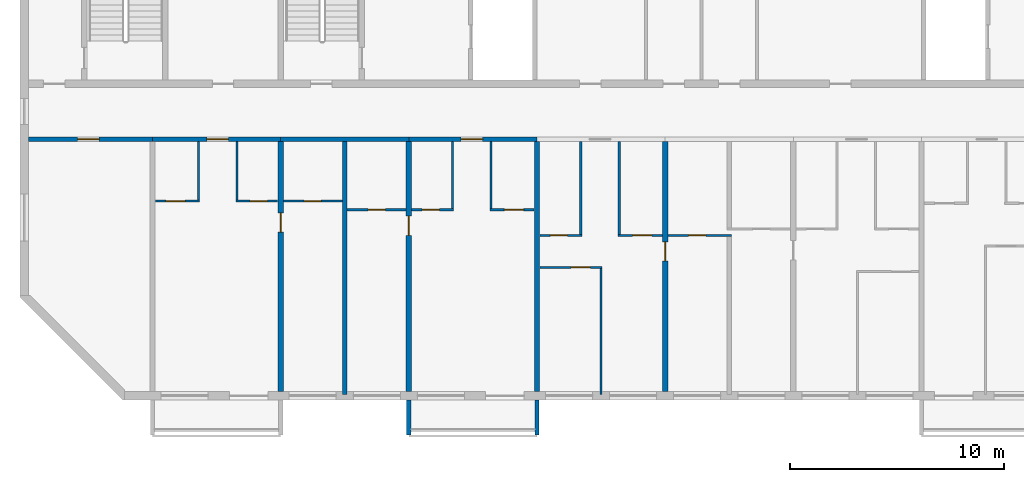
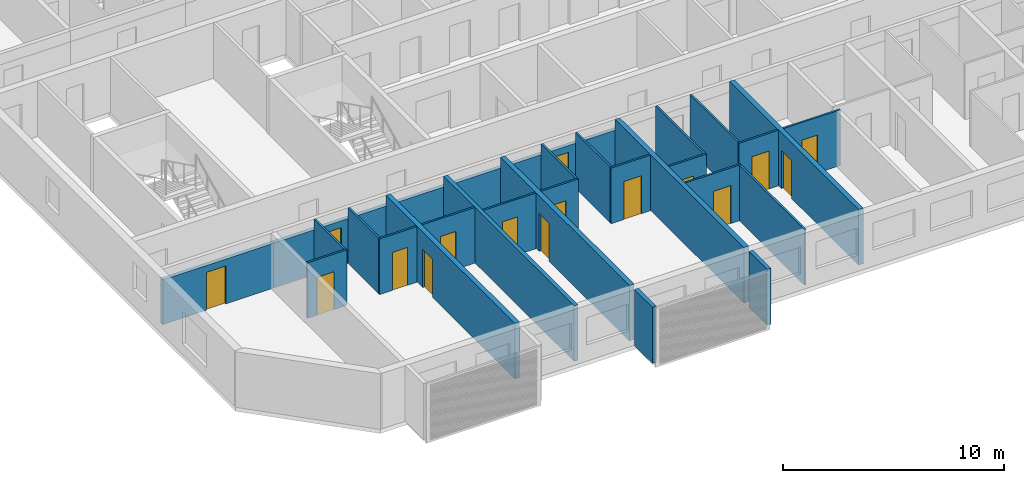
# One storey, part 2 of 26: 28 walls, 16 doors, 16 openings.
"""IFC4 building model written with IfcOpenShell, lengths in metres."""

from ifc_helpers import new_model, si_unit, direction, frame, frame_2d, origin, place, context, subcontext, project, spatial, polyline, rectangle, outline, extrude, source, transform, mapped, material, layer, layer_set, type_object, element, fill, save


model = new_model("IFC4")

# Units and contexts
model_context = context("Model", 3, precision=1e-05, world=origin(), true_north=direction((0.0, 1.0)))
body_context = subcontext(model_context, "Body", "Model", "MODEL_VIEW")
ifc_project = project(units=[si_unit("LENGTHUNIT", "METRE"), si_unit("AREAUNIT", "SQUARE_METRE"), si_unit("VOLUMEUNIT", "CUBIC_METRE"), si_unit("PLANEANGLEUNIT", "RADIAN"), si_unit("MASSUNIT", "GRAM", prefix="KILO")], contexts=[model_context])

# Site, building, storey
site_placement = place(None, origin())
site = spatial("IfcSite", under=ifc_project, at=site_placement, CompositionType="ELEMENT")
building_placement = place(site_placement, origin())
building = spatial("IfcBuilding", under=site, at=building_placement, Name="Poui Terraces", CompositionType="ELEMENT")
storey_placement = place(building_placement, frame((0.0, 0.0, 241.199951171875)))
storey = spatial("IfcBuildingStorey", under=building, at=storey_placement, Name="L67", CompositionType="ELEMENT", Elevation=241.199951171875)

# Wall, opening, door
ifc_material_1 = material(Name="Concrete 50 MPa", Category="concrete")
ifc_layer_1 = layer(ifc_material_1, 0.199951171875)
ifc_layer_set_1 = layer_set([ifc_layer_1], Name="Concrete 50 MPa")
wall_type_1 = type_object("IfcWallType", Name="CORRIDOR WALL 200 50MPa", PredefinedType="SHEAR", material=ifc_layer_set_1)
wall_1_placement = place(storey_placement, frame((18.199951171875, 12.0, 0.0), z_axis=(0.0, 0.0, 1.0), x_axis=(1.0, 0.0, 0.0)))
wall_1 = element("IfcWall", 1, at=wall_1_placement, inside=storey, type_object=wall_type_1, Name="CORRIDOR WALL LINE B BAY 1", PredefinedType="SHEAR", context=body_context, shape_type="SweptSolid", body=[
    extrude(rectangle(XDim=5.800048828125, YDim=0.199951171875, at=frame_2d((2.89990234375, 0.0))), origin(), (0.0, 0.0, 1.0), 2.47998046875),
])
opening_1_placement = place(wall_1_placement, frame((2.300048828125, 0.0, 0.0)))
opening_1 = element("IfcOpeningElement", 2, at=opening_1_placement, cuts=wall_1, Name="Opening D100", PredefinedType="OPENING", context=body_context, shape_type="SweptSolid", body=[
    extrude(rectangle(XDim=1.0, YDim=2.10009765625, at=frame_2d((0.5, 1.050048828125))), frame((0.0, 0.10986328125, 0.0), z_axis=(0.0, -1.0, 0.0), x_axis=(1.0, 0.0, 0.0)), (0.0, 0.0, 1.0), 0.219970703125),
])
ifc_material_2 = material(Name="Solid core timber door", Category="wood")
door_type_1 = type_object("IfcDoorType", Name="ACCESSIBLE INTERNAL DOOR 1000 X 2100", OperationType="NOTDEFINED", PredefinedType="DOOR", material=ifc_material_2)
door_1_placement = place(opening_1_placement, frame((1.0, 0.0, 0.0), z_axis=(0.0, 0.0, 1.0), x_axis=(-1.0, 0.0, 0.0)))
door_1 = element("IfcDoor", 3, at=door_1_placement, inside=storey, type_object=door_type_1, Name="ACCESSIBLE INTERNAL DOOR 061", OperationType="SINGLE_SWING_RIGHT", OverallHeight=2.10009765625, OverallWidth=1.0, PredefinedType="DOOR", context=body_context, shape_type="SweptSolid", body=[
    extrude(rectangle(XDim=1.0, YDim=2.10009765625, at=frame_2d((0.5, 1.050048828125))), frame((0.0, 0.02490234375, 0.0), z_axis=(0.0, -1.0, 0.0), x_axis=(1.0, 0.0, 0.0)), (0.0, 0.0, 1.0), 0.050048828125),
])
fill(opening_1, door_1)

wall_2_placement = place(storey_placement, frame((24.0, 12.0, 0.0), z_axis=(0.0, 0.0, 1.0), x_axis=(1.0, 0.0, 0.0)))
wall_2 = element("IfcWall", 4, at=wall_2_placement, inside=storey, type_object=wall_type_1, Name="CORRIDOR WALL LINE B BAY 2", PredefinedType="SHEAR", context=body_context, shape_type="SweptSolid", body=[
    extrude(rectangle(XDim=6.0, YDim=0.199951171875, at=frame_2d((3.0, 0.0))), origin(), (0.0, 0.0, 1.0), 2.47998046875),
])
opening_2_placement = place(wall_2_placement, frame((2.550048828125, 0.0, 0.0)))
opening_2 = element("IfcOpeningElement", 5, at=opening_2_placement, cuts=wall_2, Name="Opening FD30S", PredefinedType="OPENING", context=body_context, shape_type="SweptSolid", body=[
    extrude(rectangle(XDim=1.0, YDim=2.10009765625, at=frame_2d((0.5, 1.050048828125))), frame((0.0, 0.10986328125, 0.0), z_axis=(0.0, -1.0, 0.0), x_axis=(1.0, 0.0, 0.0)), (0.0, 0.0, 1.0), 0.219970703125),
])
ifc_material_3 = material(Name="Steel fire door", Category="steel")
door_type_2 = type_object("IfcDoorType", Name="FLAT ENTRANCE DOOR 1000 X 2100", OperationType="NOTDEFINED", PredefinedType="DOOR", material=ifc_material_3)
door_2_placement = place(opening_2_placement, frame((1.0, 0.0, 0.0), z_axis=(0.0, 0.0, 1.0), x_axis=(-1.0, 0.0, 0.0)))
door_2 = element("IfcDoor", 6, at=door_2_placement, inside=storey, type_object=door_type_2, Name="FLAT ENTRANCE DOOR 064", OperationType="SINGLE_SWING_LEFT", OverallHeight=2.10009765625, OverallWidth=1.0, PredefinedType="DOOR", context=body_context, shape_type="SweptSolid", body=[
    extrude(rectangle(XDim=1.0, YDim=2.10009765625, at=frame_2d((0.5, 1.050048828125))), frame((0.0, 0.02490234375, 0.0), z_axis=(0.0, -1.0, 0.0), x_axis=(1.0, 0.0, 0.0)), (0.0, 0.0, 1.0), 0.050048828125),
])
fill(opening_2, door_2)

# Wall
wall_3_placement = place(storey_placement, frame((30.0, 12.0, 0.0), z_axis=(0.0, 0.0, 1.0), x_axis=(1.0, 0.0, 0.0)))
element("IfcWall", 7, at=wall_3_placement, inside=storey, type_object=wall_type_1, Name="CORRIDOR WALL LINE B BAY 3", PredefinedType="SHEAR", context=body_context, shape_type="SweptSolid", body=[
    extrude(rectangle(XDim=6.0, YDim=0.199951171875, at=frame_2d((3.0, 0.0))), origin(), (0.0, 0.0, 1.0), 2.47998046875),
])

# Wall, opening, door
wall_4_placement = place(storey_placement, frame((36.0, 12.0, 0.0), z_axis=(0.0, 0.0, 1.0), x_axis=(1.0, 0.0, 0.0)))
wall_4 = element("IfcWall", 8, at=wall_4_placement, inside=storey, type_object=wall_type_1, Name="CORRIDOR WALL LINE B BAY 4", PredefinedType="SHEAR", context=body_context, shape_type="SweptSolid", body=[
    extrude(rectangle(XDim=6.0, YDim=0.199951171875, at=frame_2d((3.0, 0.0))), origin(), (0.0, 0.0, 1.0), 2.47998046875),
])
opening_3_placement = place(wall_4_placement, frame((2.449951171875, 0.0, 0.0)))
opening_3 = element("IfcOpeningElement", 9, at=opening_3_placement, cuts=wall_4, Name="Opening FD30S", PredefinedType="OPENING", context=body_context, shape_type="SweptSolid", body=[
    extrude(rectangle(XDim=1.0, YDim=2.10009765625, at=frame_2d((0.5, 1.050048828125))), frame((0.0, 0.10986328125, 0.0), z_axis=(0.0, -1.0, 0.0), x_axis=(1.0, 0.0, 0.0)), (0.0, 0.0, 1.0), 0.219970703125),
])
door_3_placement = place(opening_3_placement, frame((1.0, 0.0, 0.0), z_axis=(0.0, 0.0, 1.0), x_axis=(-1.0, 0.0, 0.0)))
door_3 = element("IfcDoor", 10, at=door_3_placement, inside=storey, type_object=door_type_2, Name="FLAT ENTRANCE DOOR 070", OperationType="SINGLE_SWING_RIGHT", OverallHeight=2.10009765625, OverallWidth=1.0, PredefinedType="DOOR", context=body_context, shape_type="SweptSolid", body=[
    extrude(rectangle(XDim=1.0, YDim=2.10009765625, at=frame_2d((0.5, 1.050048828125))), frame((0.0, 0.02490234375, 0.0), z_axis=(0.0, -1.0, 0.0), x_axis=(1.0, 0.0, 0.0)), (0.0, 0.0, 1.0), 0.050048828125),
])
fill(opening_3, door_3)

ifc_layer_2 = layer(ifc_material_1, 0.25)
ifc_layer_set_2 = layer_set([ifc_layer_2], Name="Concrete 50 MPa")
wall_type_2 = type_object("IfcWallType", Name="CROSS WALL 250 50MPa", PredefinedType="SHEAR", material=ifc_layer_set_2)
wall_5_placement = place(storey_placement, frame((30.0, 0.199951171875, 0.0), z_axis=(0.0, 0.0, 1.0), x_axis=(0.0, 1.0, 0.0)))
wall_5 = element("IfcWall", 11, at=wall_5_placement, inside=storey, type_object=wall_type_2, Name="CROSS WALL LINE 6 SOUTH", PredefinedType="SHEAR", context=body_context, shape_type="SweptSolid", body=[
    extrude(rectangle(XDim=11.699951171875, YDim=0.25, at=frame_2d((5.85009765625, 0.0))), origin(), (0.0, 0.0, 1.0), 3.080078125),
])
opening_4_placement = place(wall_5_placement, frame((7.449951171875, 0.0, 0.0)))
opening_4 = element("IfcOpeningElement", 12, at=opening_4_placement, cuts=wall_5, Name="Opening D90", PredefinedType="OPENING", context=body_context, shape_type="SweptSolid", body=[
    extrude(rectangle(XDim=0.89990234375, YDim=2.10009765625, at=frame_2d((0.449951171875, 1.050048828125))), frame((0.0, 0.135009765625, 0.0), z_axis=(0.0, -1.0, 0.0), x_axis=(1.0, 0.0, 0.0)), (0.0, 0.0, 1.0), 0.27001953125),
])
door_type_3 = type_object("IfcDoorType", Name="INTERNAL DOOR 900 X 2100", OperationType="NOTDEFINED", PredefinedType="DOOR", material=ifc_material_2)
door_4_placement = place(opening_4_placement, frame((0.89990234375, 0.0, 0.0), z_axis=(0.0, 0.0, 1.0), x_axis=(-1.0, 0.0, 0.0)))
door_4 = element("IfcDoor", 13, at=door_4_placement, inside=storey, type_object=door_type_3, Name="INTERNAL DOOR 066", OperationType="SINGLE_SWING_LEFT", OverallHeight=2.10009765625, OverallWidth=0.89990234375, PredefinedType="DOOR", context=body_context, shape_type="SweptSolid", body=[
    extrude(rectangle(XDim=0.89990234375, YDim=2.10009765625, at=frame_2d((0.449951171875, 1.050048828125))), frame((0.0, 0.02490234375, 0.0), z_axis=(0.0, -1.0, 0.0), x_axis=(1.0, 0.0, 0.0)), (0.0, 0.0, 1.0), 0.050048828125),
])
fill(opening_4, door_4)

wall_6_placement = place(storey_placement, frame((36.0, 0.199951171875, 0.0), z_axis=(0.0, 0.0, 1.0), x_axis=(0.0, 1.0, 0.0)))
wall_6 = element("IfcWall", 14, at=wall_6_placement, inside=storey, type_object=wall_type_2, Name="CROSS WALL LINE 7 SOUTH", PredefinedType="SHEAR", context=body_context, shape_type="SweptSolid", body=[
    extrude(rectangle(XDim=11.699951171875, YDim=0.25, at=frame_2d((5.85009765625, 0.0))), origin(), (0.0, 0.0, 1.0), 3.080078125),
])
opening_5_placement = place(wall_6_placement, frame((7.300048828125, 0.0, 0.0)))
opening_5 = element("IfcOpeningElement", 15, at=opening_5_placement, cuts=wall_6, Name="Opening D90", PredefinedType="OPENING", context=body_context, shape_type="SweptSolid", body=[
    extrude(rectangle(XDim=0.89990234375, YDim=2.10009765625, at=frame_2d((0.449951171875, 1.050048828125))), frame((0.0, 0.135009765625, 0.0), z_axis=(0.0, -1.0, 0.0), x_axis=(1.0, 0.0, 0.0)), (0.0, 0.0, 1.0), 0.27001953125),
])
door_5_placement = place(opening_5_placement, origin())
door_5 = element("IfcDoor", 16, at=door_5_placement, inside=storey, type_object=door_type_3, Name="INTERNAL DOOR 068", OperationType="SINGLE_SWING_RIGHT", OverallHeight=2.10009765625, OverallWidth=0.89990234375, PredefinedType="DOOR", context=body_context, shape_type="SweptSolid", body=[
    extrude(rectangle(XDim=0.89990234375, YDim=2.10009765625, at=frame_2d((0.449951171875, 1.050048828125))), frame((0.0, 0.02490234375, 0.0), z_axis=(0.0, -1.0, 0.0), x_axis=(1.0, 0.0, 0.0)), (0.0, 0.0, 1.0), 0.050048828125),
])
fill(opening_5, door_5)

# Wall
wall_7_placement = place(storey_placement, frame((42.0, 0.199951171875, 0.0), z_axis=(0.0, 0.0, 1.0), x_axis=(0.0, 1.0, 0.0)))
element("IfcWall", 17, at=wall_7_placement, inside=storey, type_object=wall_type_2, Name="CROSS WALL LINE 8 SOUTH", PredefinedType="SHEAR", context=body_context, shape_type="SweptSolid", body=[
    extrude(rectangle(XDim=11.699951171875, YDim=0.25, at=frame_2d((5.85009765625, 0.0))), origin(), (0.0, 0.0, 1.0), 3.080078125),
])

# Wall, opening, door
wall_8_placement = place(storey_placement, frame((48.0, 0.199951171875, 0.0), z_axis=(0.0, 0.0, 1.0), x_axis=(0.0, 1.0, 0.0)))
wall_8 = element("IfcWall", 18, at=wall_8_placement, inside=storey, type_object=wall_type_2, Name="CROSS WALL LINE 9 SOUTH", PredefinedType="SHEAR", context=body_context, shape_type="SweptSolid", body=[
    extrude(rectangle(XDim=11.699951171875, YDim=0.25, at=frame_2d((5.85009765625, 0.0))), origin(), (0.0, 0.0, 1.0), 3.080078125),
])
opening_6_placement = place(wall_8_placement, frame((6.10009765625, 0.0, 0.0)))
opening_6 = element("IfcOpeningElement", 19, at=opening_6_placement, cuts=wall_8, Name="Opening D90", PredefinedType="OPENING", context=body_context, shape_type="SweptSolid", body=[
    extrude(rectangle(XDim=0.89990234375, YDim=2.10009765625, at=frame_2d((0.449951171875, 1.050048828125))), frame((0.0, 0.135009765625, 0.0), z_axis=(0.0, -1.0, 0.0), x_axis=(1.0, 0.0, 0.0)), (0.0, 0.0, 1.0), 0.27001953125),
])
door_6_placement = place(opening_6_placement, frame((0.89990234375, 0.0, 0.0), z_axis=(0.0, 0.0, 1.0), x_axis=(-1.0, 0.0, 0.0)))
door_6 = element("IfcDoor", 20, at=door_6_placement, inside=storey, type_object=door_type_3, Name="INTERNAL DOOR 077", OperationType="SINGLE_SWING_LEFT", OverallHeight=2.10009765625, OverallWidth=0.89990234375, PredefinedType="DOOR", context=body_context, shape_type="SweptSolid", body=[
    extrude(rectangle(XDim=0.89990234375, YDim=2.10009765625, at=frame_2d((0.449951171875, 1.050048828125))), frame((0.0, 0.02490234375, 0.0), z_axis=(0.0, -1.0, 0.0), x_axis=(1.0, 0.0, 0.0)), (0.0, 0.0, 1.0), 0.050048828125),
])
fill(opening_6, door_6)

ifc_material_4 = material(Name="Plasterboard partition")
ifc_layer_3 = layer(ifc_material_4, 0.10009765625)
ifc_layer_set_3 = layer_set([ifc_layer_3], Name="Plasterboard partition")
wall_type_3 = type_object("IfcWallType", Name="FLAT PARTITION 100", PredefinedType="PARTITIONING", material=ifc_layer_set_3)
wall_9_placement = place(storey_placement, frame((42.135009765625, 6.0, 0.0), z_axis=(0.0, 0.0, 1.0), x_axis=(1.0, 0.0, 0.0)))
wall_9 = element("IfcWall", 21, at=wall_9_placement, inside=storey, type_object=wall_type_3, Name="FLAT PARTITION 100", PredefinedType="PARTITIONING", context=body_context, shape_type="SweptSolid", body=[
    extrude(rectangle(XDim=2.9150390625, YDim=0.10009765625, at=frame_2d((1.45751953125, 0.0))), origin(), (0.0, 0.0, 1.0), 3.080078125),
])
opening_7_placement = place(wall_9_placement, frame((1.465087890625, 0.0, 0.0)))
opening_7 = element("IfcOpeningElement", 22, at=opening_7_placement, cuts=wall_9, Name="Opening D90", PredefinedType="OPENING", context=body_context, shape_type="SweptSolid", body=[
    extrude(rectangle(XDim=0.89990234375, YDim=2.10009765625, at=frame_2d((0.449951171875, 1.050048828125))), frame((0.0, 0.06005859375, 0.0), z_axis=(0.0, -1.0, 0.0), x_axis=(1.0, 0.0, 0.0)), (0.0, 0.0, 1.0), 0.1201171875),
])
door_7_placement = place(opening_7_placement, origin())
door_7 = element("IfcDoor", 23, at=door_7_placement, inside=storey, type_object=door_type_3, Name="INTERNAL DOOR 074", OperationType="SINGLE_SWING_LEFT", OverallHeight=2.10009765625, OverallWidth=0.89990234375, PredefinedType="DOOR", context=body_context, shape_type="SweptSolid", body=[
    extrude(rectangle(XDim=0.89990234375, YDim=2.10009765625, at=frame_2d((0.449951171875, 1.050048828125))), frame((0.0, 0.02490234375, 0.0), z_axis=(0.0, -1.0, 0.0), x_axis=(1.0, 0.0, 0.0)), (0.0, 0.0, 1.0), 0.050048828125),
])
fill(opening_7, door_7)

wall_10_placement = place(storey_placement, frame((42.135009765625, 7.5, 0.0), z_axis=(0.0, 0.0, 1.0), x_axis=(1.0, 0.0, 0.0)))
wall_10 = element("IfcWall", 24, at=wall_10_placement, inside=storey, type_object=wall_type_3, Name="FLAT PARTITION 100", PredefinedType="PARTITIONING", context=body_context, shape_type="SweptSolid", body=[
    extrude(rectangle(XDim=1.965087890625, YDim=0.10009765625, at=frame_2d((0.982421875, 0.0))), origin(), (0.0, 0.0, 1.0), 3.080078125),
])
opening_8_placement = place(wall_10_placement, frame((0.489990234375, 0.0, 0.0)))
opening_8 = element("IfcOpeningElement", 25, at=opening_8_placement, cuts=wall_10, Name="Opening D80", PredefinedType="OPENING", context=body_context, shape_type="SweptSolid", body=[
    extrude(rectangle(XDim=0.800048828125, YDim=2.10009765625, at=frame_2d((0.39990234375, 1.050048828125))), frame((0.0, 0.06005859375, 0.0), z_axis=(0.0, -1.0, 0.0), x_axis=(1.0, 0.0, 0.0)), (0.0, 0.0, 1.0), 0.1201171875),
])
door_type_4 = type_object("IfcDoorType", Name="BATHROOM, LAUNDRY AND STORE DOOR 800 X 2100", OperationType="NOTDEFINED", PredefinedType="DOOR", material=ifc_material_2)
door_8_placement = place(opening_8_placement, origin())
door_8 = element("IfcDoor", 26, at=door_8_placement, inside=storey, type_object=door_type_4, Name="BATHROOM, LAUNDRY AND STORE DOOR 073", OperationType="SINGLE_SWING_RIGHT", OverallHeight=2.10009765625, OverallWidth=0.800048828125, PredefinedType="DOOR", context=body_context, shape_type="SweptSolid", body=[
    extrude(rectangle(XDim=0.800048828125, YDim=2.10009765625, at=frame_2d((0.39990234375, 1.050048828125))), frame((0.0, 0.02490234375, 0.0), z_axis=(0.0, -1.0, 0.0), x_axis=(1.0, 0.0, 0.0)), (0.0, 0.0, 1.0), 0.050048828125),
])
fill(opening_8, door_8)

wall_11_placement = place(storey_placement, frame((45.800048828125, 7.5, 0.0), z_axis=(0.0, 0.0, 1.0), x_axis=(1.0, 0.0, 0.0)))
wall_11 = element("IfcWall", 27, at=wall_11_placement, inside=storey, type_object=wall_type_3, Name="FLAT PARTITION 100", PredefinedType="PARTITIONING", context=body_context, shape_type="SweptSolid", body=[
    extrude(rectangle(XDim=2.06494140625, YDim=0.10009765625, at=frame_2d((1.032470703125, 0.0))), origin(), (0.0, 0.0, 1.0), 3.080078125),
])
opening_9_placement = place(wall_11_placement, frame((0.675048828125, 0.0, 0.0)))
opening_9 = element("IfcOpeningElement", 28, at=opening_9_placement, cuts=wall_11, Name="Opening D90", PredefinedType="OPENING", context=body_context, shape_type="SweptSolid", body=[
    extrude(rectangle(XDim=0.89990234375, YDim=2.10009765625, at=frame_2d((0.449951171875, 1.050048828125))), frame((0.0, 0.06005859375, 0.0), z_axis=(0.0, -1.0, 0.0), x_axis=(1.0, 0.0, 0.0)), (0.0, 0.0, 1.0), 0.1201171875),
])
door_9_placement = place(opening_9_placement, origin())
door_9 = element("IfcDoor", 29, at=door_9_placement, inside=storey, type_object=door_type_3, Name="INTERNAL DOOR 076", OperationType="SINGLE_SWING_LEFT", OverallHeight=2.10009765625, OverallWidth=0.89990234375, PredefinedType="DOOR", context=body_context, shape_type="SweptSolid", body=[
    extrude(rectangle(XDim=0.89990234375, YDim=2.10009765625, at=frame_2d((0.449951171875, 1.050048828125))), frame((0.0, 0.02490234375, 0.0), z_axis=(0.0, -1.0, 0.0), x_axis=(1.0, 0.0, 0.0)), (0.0, 0.0, 1.0), 0.050048828125),
])
fill(opening_9, door_9)

wall_12_placement = place(storey_placement, frame((48.135009765625, 7.5, 0.0), z_axis=(0.0, 0.0, 1.0), x_axis=(1.0, 0.0, 0.0)))
wall_12 = element("IfcWall", 30, at=wall_12_placement, inside=storey, type_object=wall_type_3, Name="FLAT PARTITION 100", PredefinedType="PARTITIONING", context=body_context, shape_type="SweptSolid", body=[
    extrude(rectangle(XDim=2.965087890625, YDim=0.10009765625, at=frame_2d((1.482421875, 0.0))), origin(), (0.0, 0.0, 1.0), 3.080078125),
])
opening_10_placement = place(wall_12_placement, frame((0.965087890625, 0.0, 0.0)))
opening_10 = element("IfcOpeningElement", 31, at=opening_10_placement, cuts=wall_12, Name="Opening D80", PredefinedType="OPENING", context=body_context, shape_type="SweptSolid", body=[
    extrude(rectangle(XDim=0.800048828125, YDim=2.10009765625, at=frame_2d((0.39990234375, 1.050048828125))), frame((0.0, 0.06005859375, 0.0), z_axis=(0.0, -1.0, 0.0), x_axis=(1.0, 0.0, 0.0)), (0.0, 0.0, 1.0), 0.1201171875),
])
door_10_placement = place(opening_10_placement, origin())
door_10 = element("IfcDoor", 32, at=door_10_placement, inside=storey, type_object=door_type_4, Name="BATHROOM, LAUNDRY AND STORE DOOR 072", OperationType="SINGLE_SWING_RIGHT", OverallHeight=2.10009765625, OverallWidth=0.800048828125, PredefinedType="DOOR", context=body_context, shape_type="SweptSolid", body=[
    extrude(rectangle(XDim=0.800048828125, YDim=2.10009765625, at=frame_2d((0.39990234375, 1.050048828125))), frame((0.0, 0.02490234375, 0.0), z_axis=(0.0, -1.0, 0.0), x_axis=(1.0, 0.0, 0.0)), (0.0, 0.0, 1.0), 0.050048828125),
])
fill(opening_10, door_10)

wall_13_placement = place(storey_placement, frame((33.10009765625, 8.699951171875, 0.0), z_axis=(0.0, 0.0, 1.0), x_axis=(1.0, 0.0, 0.0)))
wall_13 = element("IfcWall", 33, at=wall_13_placement, inside=storey, type_object=wall_type_3, Name="FLAT PARTITION 100", PredefinedType="PARTITIONING", context=body_context, shape_type="SweptSolid", body=[
    extrude(rectangle(XDim=2.764892578125, YDim=0.10009765625, at=frame_2d((1.38232421875, 0.0))), origin(), (0.0, 0.0, 1.0), 3.080078125),
])
opening_11_placement = place(wall_13_placement, frame((1.0, 0.0, 0.0)))
opening_11 = element("IfcOpeningElement", 34, at=opening_11_placement, cuts=wall_13, Name="Opening D80", PredefinedType="OPENING", context=body_context, shape_type="SweptSolid", body=[
    extrude(rectangle(XDim=0.800048828125, YDim=2.10009765625, at=frame_2d((0.39990234375, 1.050048828125))), frame((0.0, 0.06005859375, 0.0), z_axis=(0.0, -1.0, 0.0), x_axis=(1.0, 0.0, 0.0)), (0.0, 0.0, 1.0), 0.1201171875),
])
door_11_placement = place(opening_11_placement, origin())
door_11 = element("IfcDoor", 35, at=door_11_placement, inside=storey, type_object=door_type_4, Name="BATHROOM, LAUNDRY AND STORE DOOR 067", OperationType="SINGLE_SWING_LEFT", OverallHeight=2.10009765625, OverallWidth=0.800048828125, PredefinedType="DOOR", context=body_context, shape_type="SweptSolid", body=[
    extrude(rectangle(XDim=0.800048828125, YDim=2.10009765625, at=frame_2d((0.39990234375, 1.050048828125))), frame((0.0, 0.02490234375, 0.0), z_axis=(0.0, -1.0, 0.0), x_axis=(1.0, 0.0, 0.0)), (0.0, 0.0, 1.0), 0.050048828125),
])
fill(opening_11, door_11)

wall_14_placement = place(storey_placement, frame((36.135009765625, 8.699951171875, 0.0), z_axis=(0.0, 0.0, 1.0), x_axis=(1.0, 0.0, 0.0)))
wall_14 = element("IfcWall", 36, at=wall_14_placement, inside=storey, type_object=wall_type_3, Name="FLAT PARTITION 100", PredefinedType="PARTITIONING", context=body_context, shape_type="SweptSolid", body=[
    extrude(rectangle(XDim=1.965087890625, YDim=0.10009765625, at=frame_2d((0.982421875, 0.0))), origin(), (0.0, 0.0, 1.0), 3.080078125),
])
opening_12_placement = place(wall_14_placement, frame((0.489990234375, 0.0, 0.0)))
opening_12 = element("IfcOpeningElement", 37, at=opening_12_placement, cuts=wall_14, Name="Opening D80", PredefinedType="OPENING", context=body_context, shape_type="SweptSolid", body=[
    extrude(rectangle(XDim=0.800048828125, YDim=2.10009765625, at=frame_2d((0.39990234375, 1.050048828125))), frame((0.0, 0.06005859375, 0.0), z_axis=(0.0, -1.0, 0.0), x_axis=(1.0, 0.0, 0.0)), (0.0, 0.0, 1.0), 0.1201171875),
])
door_12_placement = place(opening_12_placement, origin())
door_12 = element("IfcDoor", 38, at=door_12_placement, inside=storey, type_object=door_type_4, Name="BATHROOM, LAUNDRY AND STORE DOOR 069", OperationType="SINGLE_SWING_RIGHT", OverallHeight=2.10009765625, OverallWidth=0.800048828125, PredefinedType="DOOR", context=body_context, shape_type="SweptSolid", body=[
    extrude(rectangle(XDim=0.800048828125, YDim=2.10009765625, at=frame_2d((0.39990234375, 1.050048828125))), frame((0.0, 0.02490234375, 0.0), z_axis=(0.0, -1.0, 0.0), x_axis=(1.0, 0.0, 0.0)), (0.0, 0.0, 1.0), 0.050048828125),
])
fill(opening_12, door_12)

wall_15_placement = place(storey_placement, frame((39.800048828125, 8.699951171875, 0.0), z_axis=(0.0, 0.0, 1.0), x_axis=(1.0, 0.0, 0.0)))
wall_15 = element("IfcWall", 39, at=wall_15_placement, inside=storey, type_object=wall_type_3, Name="FLAT PARTITION 100", PredefinedType="PARTITIONING", context=body_context, shape_type="SweptSolid", body=[
    extrude(rectangle(XDim=2.06494140625, YDim=0.10009765625, at=frame_2d((1.032470703125, 0.0))), origin(), (0.0, 0.0, 1.0), 3.080078125),
])
opening_13_placement = place(wall_15_placement, frame((0.675048828125, 0.0, 0.0)))
opening_13 = element("IfcOpeningElement", 40, at=opening_13_placement, cuts=wall_15, Name="Opening D90", PredefinedType="OPENING", context=body_context, shape_type="SweptSolid", body=[
    extrude(rectangle(XDim=0.89990234375, YDim=2.10009765625, at=frame_2d((0.449951171875, 1.050048828125))), frame((0.0, 0.06005859375, 0.0), z_axis=(0.0, -1.0, 0.0), x_axis=(1.0, 0.0, 0.0)), (0.0, 0.0, 1.0), 0.1201171875),
])
door_13_placement = place(opening_13_placement, origin())
door_13 = element("IfcDoor", 41, at=door_13_placement, inside=storey, type_object=door_type_3, Name="INTERNAL DOOR 071", OperationType="SINGLE_SWING_LEFT", OverallHeight=2.10009765625, OverallWidth=0.89990234375, PredefinedType="DOOR", context=body_context, shape_type="SweptSolid", body=[
    extrude(rectangle(XDim=0.89990234375, YDim=2.10009765625, at=frame_2d((0.449951171875, 1.050048828125))), frame((0.0, 0.02490234375, 0.0), z_axis=(0.0, -1.0, 0.0), x_axis=(1.0, 0.0, 0.0)), (0.0, 0.0, 1.0), 0.050048828125),
])
fill(opening_13, door_13)

wall_16_placement = place(storey_placement, frame((24.135009765625, 9.10009765625, 0.0), z_axis=(0.0, 0.0, 1.0), x_axis=(1.0, 0.0, 0.0)))
wall_16 = element("IfcWall", 42, at=wall_16_placement, inside=storey, type_object=wall_type_3, Name="FLAT PARTITION 100", PredefinedType="PARTITIONING", context=body_context, shape_type="SweptSolid", body=[
    extrude(rectangle(XDim=2.06494140625, YDim=0.10009765625, at=frame_2d((1.032470703125, 0.0))), origin(), (0.0, 0.0, 1.0), 3.080078125),
])
opening_14_placement = place(wall_16_placement, frame((0.489990234375, 0.0, 0.0)))
opening_14 = element("IfcOpeningElement", 43, at=opening_14_placement, cuts=wall_16, Name="Opening D90", PredefinedType="OPENING", context=body_context, shape_type="SweptSolid", body=[
    extrude(rectangle(XDim=0.89990234375, YDim=2.10009765625, at=frame_2d((0.449951171875, 1.050048828125))), frame((0.0, 0.06005859375, 0.0), z_axis=(0.0, -1.0, 0.0), x_axis=(1.0, 0.0, 0.0)), (0.0, 0.0, 1.0), 0.1201171875),
])
door_14_placement = place(opening_14_placement, origin())
door_14 = element("IfcDoor", 44, at=door_14_placement, inside=storey, type_object=door_type_3, Name="INTERNAL DOOR 063", OperationType="SINGLE_SWING_LEFT", OverallHeight=2.10009765625, OverallWidth=0.89990234375, PredefinedType="DOOR", context=body_context, shape_type="SweptSolid", body=[
    extrude(rectangle(XDim=0.89990234375, YDim=2.10009765625, at=frame_2d((0.449951171875, 1.050048828125))), frame((0.0, 0.02490234375, 0.0), z_axis=(0.0, -1.0, 0.0), x_axis=(1.0, 0.0, 0.0)), (0.0, 0.0, 1.0), 0.050048828125),
])
fill(opening_14, door_14)

wall_17_placement = place(storey_placement, frame((27.89990234375, 9.10009765625, 0.0), z_axis=(0.0, 0.0, 1.0), x_axis=(1.0, 0.0, 0.0)))
wall_17 = element("IfcWall", 45, at=wall_17_placement, inside=storey, type_object=wall_type_3, Name="FLAT PARTITION 100", PredefinedType="PARTITIONING", context=body_context, shape_type="SweptSolid", body=[
    extrude(rectangle(XDim=1.965087890625, YDim=0.10009765625, at=frame_2d((0.982421875, 0.0))), origin(), (0.0, 0.0, 1.0), 3.080078125),
])
opening_15_placement = place(wall_17_placement, frame((0.675048828125, 0.0, 0.0)))
opening_15 = element("IfcOpeningElement", 46, at=opening_15_placement, cuts=wall_17, Name="Opening D80", PredefinedType="OPENING", context=body_context, shape_type="SweptSolid", body=[
    extrude(rectangle(XDim=0.800048828125, YDim=2.10009765625, at=frame_2d((0.39990234375, 1.050048828125))), frame((0.0, 0.06005859375, 0.0), z_axis=(0.0, -1.0, 0.0), x_axis=(1.0, 0.0, 0.0)), (0.0, 0.0, 1.0), 0.1201171875),
])
door_15_placement = place(opening_15_placement, origin())
door_15 = element("IfcDoor", 47, at=door_15_placement, inside=storey, type_object=door_type_4, Name="BATHROOM, LAUNDRY AND STORE DOOR 065", OperationType="SINGLE_SWING_RIGHT", OverallHeight=2.10009765625, OverallWidth=0.800048828125, PredefinedType="DOOR", context=body_context, shape_type="SweptSolid", body=[
    extrude(rectangle(XDim=0.800048828125, YDim=2.10009765625, at=frame_2d((0.39990234375, 1.050048828125))), frame((0.0, 0.02490234375, 0.0), z_axis=(0.0, -1.0, 0.0), x_axis=(1.0, 0.0, 0.0)), (0.0, 0.0, 1.0), 0.050048828125),
])
fill(opening_15, door_15)

wall_18_placement = place(storey_placement, frame((30.135009765625, 9.10009765625, 0.0), z_axis=(0.0, 0.0, 1.0), x_axis=(1.0, 0.0, 0.0)))
wall_18 = element("IfcWall", 48, at=wall_18_placement, inside=storey, type_object=wall_type_3, Name="FLAT PARTITION 100", PredefinedType="PARTITIONING", context=body_context, shape_type="SweptSolid", body=[
    extrude(rectangle(XDim=2.764892578125, YDim=0.10009765625, at=frame_2d((1.38232421875, 0.0))), origin(), (0.0, 0.0, 1.0), 3.080078125),
])
opening_16_placement = place(wall_18_placement, frame((0.965087890625, 0.0, 0.0)))
opening_16 = element("IfcOpeningElement", 49, at=opening_16_placement, cuts=wall_18, Name="Opening D80", PredefinedType="OPENING", context=body_context, shape_type="SweptSolid", body=[
    extrude(rectangle(XDim=0.800048828125, YDim=2.10009765625, at=frame_2d((0.39990234375, 1.050048828125))), frame((0.0, 0.06005859375, 0.0), z_axis=(0.0, -1.0, 0.0), x_axis=(1.0, 0.0, 0.0)), (0.0, 0.0, 1.0), 0.1201171875),
])
door_16_placement = place(opening_16_placement, origin())
door_16 = element("IfcDoor", 50, at=door_16_placement, inside=storey, type_object=door_type_4, Name="BATHROOM, LAUNDRY AND STORE DOOR 062", OperationType="SINGLE_SWING_RIGHT", OverallHeight=2.10009765625, OverallWidth=0.800048828125, PredefinedType="DOOR", context=body_context, shape_type="SweptSolid", body=[
    extrude(rectangle(XDim=0.800048828125, YDim=2.10009765625, at=frame_2d((0.39990234375, 1.050048828125))), frame((0.0, 0.02490234375, 0.0), z_axis=(0.0, -1.0, 0.0), x_axis=(1.0, 0.0, 0.0)), (0.0, 0.0, 1.0), 0.050048828125),
])
fill(opening_16, door_16)

# Walls
for number, where, z_axis, x_axis, name in (
    (51, (26.14990234375, 9.14990234375, 0.0), (0.0, 0.0, 1.0), (0.0, 1.0, 0.0), "FLAT PARTITION 100"),
    (52, (27.949951171875, 9.14990234375, 0.0), (0.0, 0.0, 1.0), (0.0, 1.0, 0.0), "FLAT PARTITION 100"),
):
    element("IfcWall", number, at=place(storey_placement, frame(where, z_axis=z_axis, x_axis=x_axis)), inside=storey, type_object=wall_type_3, Name=name, PredefinedType="PARTITIONING", context=body_context, shape_type="SweptSolid", body=[
        extrude(rectangle(XDim=2.739990234375, YDim=0.10009765625, at=frame_2d((1.3701171875, 0.0))), origin(), (0.0, 0.0, 1.0), 3.080078125),
    ])
for number, where, z_axis, x_axis, name in (
    (53, (38.050048828125, 8.75, 0.0), (0.0, 0.0, 1.0), (0.0, 1.0, 0.0), "FLAT PARTITION 100"),
    (54, (39.85009765625, 8.75, 0.0), (0.0, 0.0, 1.0), (0.0, 1.0, 0.0), "FLAT PARTITION 100"),
):
    element("IfcWall", number, at=place(storey_placement, frame(where, z_axis=z_axis, x_axis=x_axis)), inside=storey, type_object=wall_type_3, Name=name, PredefinedType="PARTITIONING", context=body_context, shape_type="SweptSolid", body=[
        extrude(rectangle(XDim=3.139892578125, YDim=0.10009765625, at=frame_2d((1.56982421875, 0.0))), origin(), (0.0, 0.0, 1.0), 3.080078125),
    ])
wall_19_placement = place(storey_placement, frame((44.050048828125, 7.550048828125, 0.0), z_axis=(0.0, 0.0, 1.0), x_axis=(0.0, 1.0, 0.0)))
element("IfcWall", 55, at=wall_19_placement, inside=storey, type_object=wall_type_3, Name="FLAT PARTITION 100", PredefinedType="PARTITIONING", context=body_context, shape_type="SweptSolid", body=[
    extrude(rectangle(XDim=4.33984375, YDim=0.10009765625, at=frame_2d((2.169921875, 0.0))), origin(), (0.0, 0.0, 1.0), 3.080078125),
])
wall_20_placement = place(storey_placement, frame((45.0, 0.06005859375, 0.0), z_axis=(0.0, 0.0, 1.0), x_axis=(0.0, 1.0, 0.0)))
element("IfcWall", 56, at=wall_20_placement, inside=storey, type_object=wall_type_3, Name="FLAT PARTITION 100", PredefinedType="PARTITIONING", context=body_context, shape_type="SweptSolid", body=[
    extrude(rectangle(XDim=5.889892578125, YDim=0.10009765625, at=frame_2d((2.94482421875, 0.0))), origin(), (0.0, 0.0, 1.0), 3.080078125),
])
wall_21_placement = place(storey_placement, frame((45.85009765625, 7.550048828125, 0.0), z_axis=(0.0, 0.0, 1.0), x_axis=(0.0, 1.0, 0.0)))
element("IfcWall", 57, at=wall_21_placement, inside=storey, type_object=wall_type_3, Name="FLAT PARTITION 100", PredefinedType="PARTITIONING", context=body_context, shape_type="SweptSolid", body=[
    extrude(rectangle(XDim=4.33984375, YDim=0.10009765625, at=frame_2d((2.169921875, 0.0))), origin(), (0.0, 0.0, 1.0), 3.080078125),
])
ifc_material_5 = material(Name="Fire-rated masonry wall", Category="masonry")
ifc_layer_4 = layer(ifc_material_5, 0.199951171875)
ifc_layer_set_4 = layer_set([ifc_layer_4], Name="Fire-rated masonry wall")
wall_type_4 = type_object("IfcWallType", Name="FLAT PARTY WALL 200", PredefinedType="PARTITIONING", material=ifc_layer_set_4)
wall_22_placement = place(storey_placement, frame((33.0, 0.06005859375, 0.0), z_axis=(0.0, 0.0, 1.0), x_axis=(0.0, 1.0, 0.0)))
element("IfcWall", 58, at=wall_22_placement, inside=storey, type_object=wall_type_4, Name="FLAT PARTY WALL 200", PredefinedType="PARTITIONING", context=body_context, shape_type="SweptSolid", body=[
    extrude(rectangle(XDim=11.829833984375, YDim=0.199951171875, at=frame_2d((5.9150390625, 0.0))), origin(), (0.0, 0.0, 1.0), 3.080078125),
])
ifc_material_6 = material(Name="Precast concrete 40 MPa", Category="concrete")
ifc_layer_5 = layer(ifc_material_6, 0.199951171875)
ifc_layer_set_5 = layer_set([ifc_layer_5], Name="Precast concrete 40 MPa")
wall_type_5 = type_object("IfcWallType", Name="REAR FIN 200", PredefinedType="STANDARD", material=ifc_layer_set_5)
shared_shape = source(origin(), body_context, "Body", "SweptSolid", [
    extrude(outline(polyline([(0.0, 0.0), (0.2001953125, 0.0), (0.2001953125, 1.650146484375), (0.0, 1.650146484375), (0.0, 0.0)])), origin(), (0.0, 0.0, 1.0), 3.10009765625),
])
for number, where, name in (
    (59, (35.89990234375, -1.85009765625, 0.0), "REAR FIN"),
    (60, (41.89990234375, -1.85009765625, 0.0), "REAR FIN"),
):
    element("IfcWall", number, at=place(storey_placement, frame(where)), inside=storey, type_object=wall_type_5, Name=name, PredefinedType="STANDARD", context=body_context, shape_type="MappedRepresentation", body=[
        mapped(shared_shape, transform((0.0, 0.0, 0.0))),
    ])

save(model, "model.ifc")
